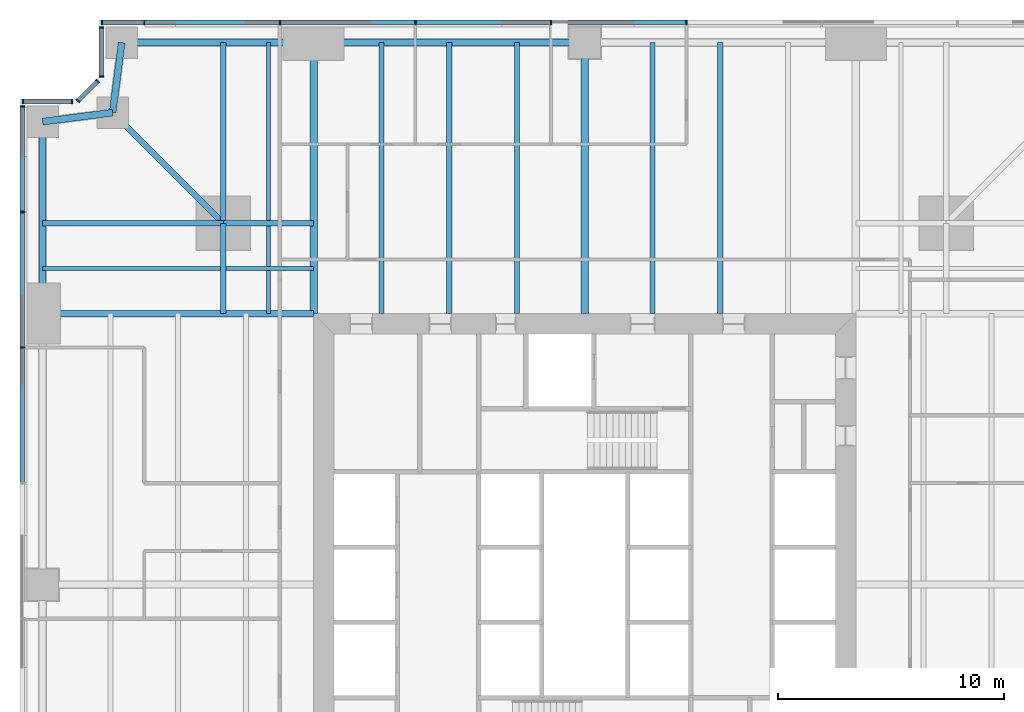
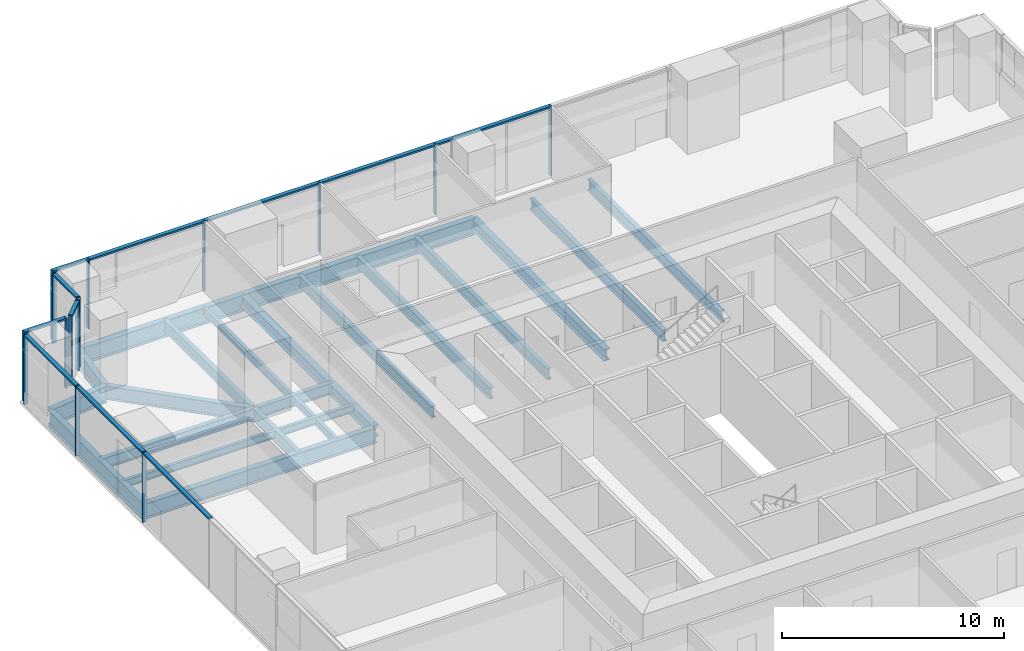
# One storey, part 6 of 14: 26 members, 23 beams, 5 elements without a shape of their own.
"""IFC4 building model written with IfcOpenShell, lengths in metres."""

from ifc_helpers import new_model, si_unit, direction, frame, origin, origin_2d, place, context, subcontext, project, spatial, rectangle, i_section, extrude, material, material_profile, profile_set, type_object, element, aggregate, save


model = new_model("IFC4")

# Units and contexts
model_context = context("Model", 3, precision=1e-05, world=origin(), true_north=direction((0.0, 1.0)))
body_context = subcontext(model_context, "Body", "Model", "MODEL_VIEW")
ifc_project = project(units=[si_unit("LENGTHUNIT", "METRE"), si_unit("AREAUNIT", "SQUARE_METRE"), si_unit("VOLUMEUNIT", "CUBIC_METRE"), si_unit("PLANEANGLEUNIT", "RADIAN"), si_unit("MASSUNIT", "GRAM", prefix="KILO")], contexts=[model_context])

# Site, building, storey
site_placement = place(None, origin())
site = spatial("IfcSite", under=ifc_project, at=site_placement, CompositionType="ELEMENT")
building_placement = place(site_placement, origin())
building = spatial("IfcBuilding", under=site, at=building_placement, Name="Fenwick Lantern Interchange", CompositionType="ELEMENT")
storey_placement = place(building_placement, frame((0.0, 0.0, 71.0)))
storey = spatial("IfcBuildingStorey", under=building, at=storey_placement, Name="L16", CompositionType="ELEMENT", Elevation=71.0)

# Beams
ifc_material_1 = material(Name="Steel ASTM A992 Grade 50", Category="steel")
ifc_material_profile_1 = material_profile(ifc_material_1, i_section(OverallWidth=0.3046875, OverallDepth=0.911865234375, WebThickness=0.015869140625, FlangeThickness=0.02392578125, at=origin_2d()), Name="W36X150")
ifc_profile_set_1 = profile_set([ifc_material_profile_1], Name="Steel ASTM A992 Grade 50")
beam_type_1 = type_object("IfcBeamType", Name="EDGE BEAM W36X150", PredefinedType="SPANDREL", material=ifc_profile_set_1)
beam_1_placement = place(storey_placement, frame((25.0, 49.0, -0.60595703125), z_axis=(-1.0, 0.0, 0.0), x_axis=(0.0, -1.0, 0.0)))
element("IfcBeam", 1, at=beam_1_placement, inside=storey, type_object=beam_type_1, Name="L16/FR/N/EB3", PredefinedType="SPANDREL", context=body_context, shape_type="SweptSolid", body=[
    extrude(i_section(OverallWidth=0.3046875, OverallDepth=0.911865234375, WebThickness=0.015869140625, FlangeThickness=0.02392578125, at=origin_2d()), origin(), (0.0, 0.0, 1.0), 12.0),
])
beam_2_placement = place(storey_placement, frame((13.0, 49.0, -0.60595703125), z_axis=(-1.0, 0.0, 0.0), x_axis=(0.0, -1.0, 0.0)))
element("IfcBeam", 2, at=beam_2_placement, inside=storey, type_object=beam_type_1, Name="L16/FR/N/EB4", PredefinedType="SPANDREL", context=body_context, shape_type="SweptSolid", body=[
    extrude(i_section(OverallWidth=0.3046875, OverallDepth=0.911865234375, WebThickness=0.015869140625, FlangeThickness=0.02392578125, at=origin_2d()), origin(), (0.0, 0.0, 1.0), 8.5),
])
for number, where, z_axis, x_axis, name in (
    (3, (4.5, 49.0, -0.60595703125), (-0.127936641807, -0.991782342897, 0.0), (0.991782342897, -0.127936641807, 0.0), "L16/FR/N/EBR1"),
    (4, (4.10009765625, 45.89990234375, -0.60595703125), (-0.991782342897, -0.127936641807, 0.0), (0.127936641807, -0.991782342897, 0.0), "L16/FR/N/EBR2"),
):
    element("IfcBeam", number, at=place(storey_placement, frame(where, z_axis=z_axis, x_axis=x_axis)), inside=storey, type_object=beam_type_1, Name=name, PredefinedType="SPANDREL", context=body_context, shape_type="SweptSolid", body=[
        extrude(i_section(OverallWidth=0.3046875, OverallDepth=0.911865234375, WebThickness=0.015869140625, FlangeThickness=0.02392578125, at=origin_2d()), origin(), (0.0, 0.0, 1.0), 3.125732421875),
    ])
beam_3_placement = place(storey_placement, frame((1.0, 45.5, -0.60595703125), z_axis=(0.0, -1.0, 0.0), x_axis=(1.0, 0.0, 0.0)))
element("IfcBeam", 5, at=beam_3_placement, inside=storey, type_object=beam_type_1, Name="L16/FR/W/EB1", PredefinedType="SPANDREL", context=body_context, shape_type="SweptSolid", body=[
    extrude(i_section(OverallWidth=0.3046875, OverallDepth=0.911865234375, WebThickness=0.015869140625, FlangeThickness=0.02392578125, at=origin_2d()), origin(), (0.0, 0.0, 1.0), 8.5),
])
ifc_material_profile_2 = material_profile(ifc_material_1, i_section(OverallWidth=0.22900390625, OverallDepth=0.612060546875, WebThickness=0.011962890625, FlangeThickness=0.01953125, at=origin_2d()), Name="W24X84")
ifc_profile_set_2 = profile_set([ifc_material_profile_2], Name="Steel ASTM A992 Grade 50")
beam_type_2 = type_object("IfcBeamType", Name="FLOOR BEAM W24X84", PredefinedType="BEAM", material=ifc_profile_set_2)
for number, where, z_axis, x_axis, name in (
    (6, (31.0, 49.0, -0.4560546875), (0.0, -1.0, 0.0), (1.0, 0.0, 0.0), "L16/FR/N/R03"),
    (7, (28.0, 49.0, -0.4560546875), (0.0, -1.0, 0.0), (1.0, 0.0, 0.0), "L16/FR/N/R04"),
    (8, (22.0, 49.0, -0.4560546875), (0.0, -1.0, 0.0), (1.0, 0.0, 0.0), "L16/FR/N/R06"),
    (9, (19.0, 49.0, -0.4560546875), (0.0, -1.0, 0.0), (1.0, 0.0, 0.0), "L16/FR/N/R07"),
    (10, (16.0, 49.0, -0.4560546875), (0.0, -1.0, 0.0), (1.0, 0.0, 0.0), "L16/FR/N/R08"),
):
    element("IfcBeam", number, at=place(storey_placement, frame(where, z_axis=z_axis, x_axis=x_axis)), inside=storey, type_object=beam_type_2, Name=name, PredefinedType="BEAM", context=body_context, shape_type="SweptSolid", body=[
        extrude(i_section(OverallWidth=0.22900390625, OverallDepth=0.612060546875, WebThickness=0.011962890625, FlangeThickness=0.01953125, at=origin_2d()), origin(), (0.0, 0.0, 1.0), 12.0),
    ])
ifc_material_profile_3 = material_profile(ifc_material_1, i_section(OverallWidth=0.177734375, OverallDepth=0.406494140625, WebThickness=0.0078125, FlangeThickness=0.012939453125, at=origin_2d()), Name="W16X40")
ifc_profile_set_3 = profile_set([ifc_material_profile_3], Name="Steel ASTM A992 Grade 50")
beam_type_3 = type_object("IfcBeamType", Name="INFILL BEAM W16X40", PredefinedType="JOIST", material=ifc_profile_set_3)
beam_4_placement = place(storey_placement, frame((1.0, 39.0, -0.353271484375), z_axis=(1.0, 0.0, 0.0), x_axis=(0.0, 1.0, 0.0)))
element("IfcBeam", 11, at=beam_4_placement, inside=storey, type_object=beam_type_3, Name="L16/FR/W/J1", PredefinedType="JOIST", context=body_context, shape_type="SweptSolid", body=[
    extrude(i_section(OverallWidth=0.177734375, OverallDepth=0.406494140625, WebThickness=0.0078125, FlangeThickness=0.012939453125, at=origin_2d()), origin(), (0.0, 0.0, 1.0), 7.885498046875),
])
beam_5_placement = place(storey_placement, frame((9.114501953125, 39.0, -0.353271484375), z_axis=(1.0, 0.0, 0.0), x_axis=(0.0, 1.0, 0.0)))
element("IfcBeam", 12, at=beam_5_placement, inside=storey, type_object=beam_type_3, Name="L16/FR/W/J2", PredefinedType="JOIST", context=body_context, shape_type="SweptSolid", body=[
    extrude(i_section(OverallWidth=0.177734375, OverallDepth=0.406494140625, WebThickness=0.0078125, FlangeThickness=0.012939453125, at=origin_2d()), origin(), (0.0, 0.0, 1.0), 3.885498046875),
])
beam_6_placement = place(storey_placement, frame((11.0, 49.0, -0.353271484375), z_axis=(0.0, -1.0, 0.0), x_axis=(1.0, 0.0, 0.0)))
element("IfcBeam", 13, at=beam_6_placement, inside=storey, type_object=beam_type_3, Name="L16/FR/W/J3", PredefinedType="JOIST", context=body_context, shape_type="SweptSolid", body=[
    extrude(i_section(OverallWidth=0.177734375, OverallDepth=0.406494140625, WebThickness=0.0078125, FlangeThickness=0.012939453125, at=origin_2d()), origin(), (0.0, 0.0, 1.0), 7.885498046875),
])
beam_7_placement = place(storey_placement, frame((11.0, 40.885498046875, -0.353271484375), z_axis=(0.0, -1.0, 0.0), x_axis=(1.0, 0.0, 0.0)))
element("IfcBeam", 14, at=beam_7_placement, inside=storey, type_object=beam_type_3, Name="L16/FR/W/J4", PredefinedType="JOIST", context=body_context, shape_type="SweptSolid", body=[
    extrude(i_section(OverallWidth=0.177734375, OverallDepth=0.406494140625, WebThickness=0.0078125, FlangeThickness=0.012939453125, at=origin_2d()), origin(), (0.0, 0.0, 1.0), 1.796630859375),
])
beam_8_placement = place(storey_placement, frame((11.0, 38.9111328125, -0.353271484375), z_axis=(0.0, -1.0, 0.0), x_axis=(1.0, 0.0, 0.0)))
element("IfcBeam", 15, at=beam_8_placement, inside=storey, type_object=beam_type_3, Name="L16/FR/W/J5", PredefinedType="JOIST", context=body_context, shape_type="SweptSolid", body=[
    extrude(i_section(OverallWidth=0.177734375, OverallDepth=0.406494140625, WebThickness=0.0078125, FlangeThickness=0.012939453125, at=origin_2d()), origin(), (0.0, 0.0, 1.0), 1.9111328125),
])
ifc_material_profile_4 = material_profile(ifc_material_1, i_section(OverallWidth=0.22900390625, OverallDepth=0.612060546875, WebThickness=0.011962890625, FlangeThickness=0.01953125, at=origin_2d()), Name="W24X84")
ifc_profile_set_4 = profile_set([ifc_material_profile_4], Name="Steel ASTM A992 Grade 50")
beam_type_4 = type_object("IfcBeamType", Name="MEGA COLUMN BEAM W24X84", PredefinedType="BEAM", material=ifc_profile_set_4)
for number, where, z_axis, x_axis, name in (
    (16, (9.0, 41.0, -0.4560546875), (-1.0, 0.0, 0.0), (0.0, -1.0, 0.0), "L16/FR/W/MB1"),
    (17, (9.0, 41.0, -0.4560546875), (0.0, 1.0, 0.0), (-1.0, 0.0, 0.0), "L16/FR/W/MB2"),
):
    element("IfcBeam", number, at=place(storey_placement, frame(where, z_axis=z_axis, x_axis=x_axis)), inside=storey, type_object=beam_type_4, Name=name, PredefinedType="BEAM", context=body_context, shape_type="SweptSolid", body=[
        extrude(i_section(OverallWidth=0.22900390625, OverallDepth=0.612060546875, WebThickness=0.011962890625, FlangeThickness=0.01953125, at=origin_2d()), origin(), (0.0, 0.0, 1.0), 8.0),
    ])
for number, where, z_axis, x_axis, name in (
    (18, (9.0, 41.0, -0.4560546875), (0.0, -1.0, 0.0), (1.0, 0.0, 0.0), "L16/FR/W/MB3"),
    (19, (9.0, 41.0, -0.4560546875), (1.0, 0.0, 0.0), (0.0, 1.0, 0.0), "L16/FR/W/MB4"),
):
    element("IfcBeam", number, at=place(storey_placement, frame(where, z_axis=z_axis, x_axis=x_axis)), inside=storey, type_object=beam_type_4, Name=name, PredefinedType="BEAM", context=body_context, shape_type="SweptSolid", body=[
        extrude(i_section(OverallWidth=0.22900390625, OverallDepth=0.612060546875, WebThickness=0.011962890625, FlangeThickness=0.01953125, at=origin_2d()), origin(), (0.0, 0.0, 1.0), 4.0),
    ])
ifc_material_profile_5 = material_profile(ifc_material_1, i_section(OverallWidth=0.32763671875, OverallDepth=0.622314453125, WebThickness=0.015380859375, FlangeThickness=0.0244140625, at=origin_2d()), Name="W24X131")
ifc_profile_set_5 = profile_set([ifc_material_profile_5], Name="Steel ASTM A992 Grade 50")
beam_type_5 = type_object("IfcBeamType", Name="MOMENT-CONNECTED GIRDER W24X131", PredefinedType="BEAM", material=ifc_profile_set_5)
for number, where, z_axis, x_axis, name in (
    (20, (25.0, 49.0, -0.461181640625), (0.0, -1.0, 0.0), (1.0, 0.0, 0.0), "L16/FR/N/R05"),
    (21, (13.0, 49.0, -0.461181640625), (0.0, -1.0, 0.0), (1.0, 0.0, 0.0), "L16/FR/N/R09"),
):
    element("IfcBeam", number, at=place(storey_placement, frame(where, z_axis=z_axis, x_axis=x_axis)), inside=storey, type_object=beam_type_5, Name=name, PredefinedType="BEAM", context=body_context, shape_type="SweptSolid", body=[
        extrude(i_section(OverallWidth=0.32763671875, OverallDepth=0.622314453125, WebThickness=0.015380859375, FlangeThickness=0.0244140625, at=origin_2d()), origin(), (0.0, 0.0, 1.0), 12.0),
    ])
ifc_material_profile_6 = material_profile(ifc_material_1, i_section(OverallWidth=0.2919921875, OverallDepth=0.845703125, WebThickness=0.015380859375, FlangeThickness=0.0244140625, at=origin_2d()), Name="W33X141")
ifc_profile_set_6 = profile_set([ifc_material_profile_6], Name="Steel ASTM A992 Grade 50")
beam_type_6 = type_object("IfcBeamType", Name="MOMENT-CONNECTED GIRDER W33X141", PredefinedType="BEAM", material=ifc_profile_set_6)
beam_9_placement = place(storey_placement, frame((1.0, 37.0, -0.572998046875), z_axis=(1.0, 0.0, 0.0), x_axis=(0.0, 1.0, 0.0)))
element("IfcBeam", 22, at=beam_9_placement, inside=storey, type_object=beam_type_6, Name="L16/FR/W/R01", PredefinedType="BEAM", context=body_context, shape_type="SweptSolid", body=[
    extrude(i_section(OverallWidth=0.2919921875, OverallDepth=0.845703125, WebThickness=0.015380859375, FlangeThickness=0.0244140625, at=origin_2d()), origin(), (0.0, 0.0, 1.0), 12.0),
])
ifc_material_profile_7 = material_profile(ifc_material_1, i_section(OverallWidth=0.2666015625, OverallDepth=0.7568359375, WebThickness=0.013916015625, FlangeThickness=0.019287109375, at=origin_2d()), Name="W30X108")
ifc_profile_set_7 = profile_set([ifc_material_profile_7], Name="Steel ASTM A992 Grade 50")
beam_type_7 = type_object("IfcBeamType", Name="NOTCH BEAM W30X108", PredefinedType="BEAM", material=ifc_profile_set_7)
beam_10_placement = place(storey_placement, frame((9.0, 41.0, -0.528564453125), z_axis=(-0.707106781187, 0.707106781187, 0.0), x_axis=(-0.707106781187, -0.707106781187, 0.0)))
element("IfcBeam", 23, at=beam_10_placement, inside=storey, type_object=beam_type_7, Name="L16/FR/W/TG", PredefinedType="BEAM", context=body_context, shape_type="SweptSolid", body=[
    extrude(i_section(OverallWidth=0.2666015625, OverallDepth=0.7568359375, WebThickness=0.013916015625, FlangeThickness=0.019287109375, at=origin_2d()), origin(), (0.0, 0.0, 1.0), 6.929443359375),
])

# Curtain wall, members
ifc_material_2 = material(Name="Aluminium curtain wall frame", Category="aluminium")
curtain_wall_type = type_object("IfcCurtainWallType", Name="OFFICE CURTAIN WALL", PredefinedType="USERDEFINED", material=ifc_material_2)
curtain_wall_1_placement = place(storey_placement, origin())
curtain_wall_1 = element("IfcCurtainWall", 24, at=curtain_wall_1_placement, inside=storey, type_object=curtain_wall_type, Name="Office curtain wall 09", ObjectType="OFFICE CURTAIN WALL", PredefinedType="USERDEFINED")
ifc_material_3 = material(Name="Aluminium extrusion", Category="aluminium")
ifc_material_profile_8 = material_profile(ifc_material_3, rectangle(XDim=0.199951171875, YDim=0.06494140625, at=origin_2d()), Name="OFFICE CURTAIN WALL MULLION 65 X 200")
ifc_profile_set_8 = profile_set([ifc_material_profile_8], Name="Aluminium extrusion")
member_type_1 = type_object("IfcMemberType", Name="OFFICE CURTAIN WALL MULLION 65 X 200", PredefinedType="MULLION", material=ifc_profile_set_8)
member_1_placement = place(storey_placement, frame((29.5, 49.89990234375, 0.0), z_axis=(0.0, 0.0, 1.0), x_axis=(0.0, -1.0, 0.0)))
member_1 = element("IfcMember", 25, at=member_1_placement, type_object=member_type_1, Name="L16/CW/09/M03", PredefinedType="MULLION", context=body_context, shape_type="SweptSolid", body=[
    extrude(rectangle(XDim=0.199951171875, YDim=0.06494140625, at=origin_2d()), origin(), (0.0, 0.0, 1.0), 3.85009765625),
])
member_2_placement = place(storey_placement, frame((23.5, 49.89990234375, 0.0), z_axis=(0.0, 0.0, 1.0), x_axis=(0.0, -1.0, 0.0)))
member_2 = element("IfcMember", 26, at=member_2_placement, type_object=member_type_1, Name="L16/CW/09/M04", PredefinedType="MULLION", context=body_context, shape_type="SweptSolid", body=[
    extrude(rectangle(XDim=0.199951171875, YDim=0.06494140625, at=origin_2d()), origin(), (0.0, 0.0, 1.0), 3.85009765625),
])
member_3_placement = place(storey_placement, frame((17.5, 49.89990234375, 0.0), z_axis=(0.0, 0.0, 1.0), x_axis=(0.0, -1.0, 0.0)))
member_3 = element("IfcMember", 27, at=member_3_placement, type_object=member_type_1, Name="L16/CW/09/M05", PredefinedType="MULLION", context=body_context, shape_type="SweptSolid", body=[
    extrude(rectangle(XDim=0.199951171875, YDim=0.06494140625, at=origin_2d()), origin(), (0.0, 0.0, 1.0), 3.85009765625),
])
member_4_placement = place(storey_placement, frame((11.5, 49.89990234375, 0.0), z_axis=(0.0, 0.0, 1.0), x_axis=(0.0, -1.0, 0.0)))
member_4 = element("IfcMember", 28, at=member_4_placement, type_object=member_type_1, Name="L16/CW/09/M06", PredefinedType="MULLION", context=body_context, shape_type="SweptSolid", body=[
    extrude(rectangle(XDim=0.199951171875, YDim=0.06494140625, at=origin_2d()), origin(), (0.0, 0.0, 1.0), 3.85009765625),
])
member_5_placement = place(storey_placement, frame((5.5, 49.89990234375, 0.0), z_axis=(0.0, 0.0, 1.0), x_axis=(0.0, -1.0, 0.0)))
member_5 = element("IfcMember", 29, at=member_5_placement, type_object=member_type_1, Name="L16/CW/09/M07", PredefinedType="MULLION", context=body_context, shape_type="SweptSolid", body=[
    extrude(rectangle(XDim=0.199951171875, YDim=0.06494140625, at=origin_2d()), origin(), (0.0, 0.0, 1.0), 3.85009765625),
])
member_6_placement = place(storey_placement, frame((3.632568359375, 49.89990234375, 0.0), z_axis=(0.0, 0.0, 1.0), x_axis=(0.0, -1.0, 0.0)))
member_6 = element("IfcMember", 30, at=member_6_placement, type_object=member_type_1, Name="L16/CW/09/M08", PredefinedType="MULLION", context=body_context, shape_type="SweptSolid", body=[
    extrude(rectangle(XDim=0.199951171875, YDim=0.06494140625, at=origin_2d()), origin(), (0.0, 0.0, 1.0), 3.85009765625),
])

curtain_wall_2_placement = place(storey_placement, origin())
curtain_wall_2 = element("IfcCurtainWall", 31, at=curtain_wall_2_placement, inside=storey, type_object=curtain_wall_type, Name="Office curtain wall 10", ObjectType="OFFICE CURTAIN WALL", PredefinedType="USERDEFINED")
member_7_placement = place(storey_placement, frame((3.60009765625, 49.66748046875, 0.0), z_axis=(0.0, 0.0, 1.0), x_axis=(1.0, 0.0, 0.0)))
member_7 = element("IfcMember", 32, at=member_7_placement, type_object=member_type_1, Name="L16/CW/10/M00", PredefinedType="MULLION", context=body_context, shape_type="SweptSolid", body=[
    extrude(rectangle(XDim=0.199951171875, YDim=0.06494140625, at=origin_2d()), origin(), (0.0, 0.0, 1.0), 3.85009765625),
])
member_8_placement = place(storey_placement, frame((3.60009765625, 47.490966796875, 0.0), z_axis=(0.0, 0.0, 1.0), x_axis=(1.0, 0.0, 0.0)))
member_8 = element("IfcMember", 33, at=member_8_placement, type_object=member_type_1, Name="L16/CW/10/M01", PredefinedType="MULLION", context=body_context, shape_type="SweptSolid", body=[
    extrude(rectangle(XDim=0.199951171875, YDim=0.06494140625, at=origin_2d()), origin(), (0.0, 0.0, 1.0), 3.85009765625),
])

curtain_wall_3_placement = place(storey_placement, origin())
curtain_wall_3 = element("IfcCurtainWall", 34, at=curtain_wall_3_placement, inside=storey, type_object=curtain_wall_type, Name="Office curtain wall 11", ObjectType="OFFICE CURTAIN WALL", PredefinedType="USERDEFINED")
member_9_placement = place(storey_placement, frame((3.435546875, 47.294189453125, 0.0), z_axis=(0.0, 0.0, 1.0), x_axis=(0.707106781187, -0.707106781187, 0.0)))
member_9 = element("IfcMember", 35, at=member_9_placement, type_object=member_type_1, Name="L16/CW/11/M00", PredefinedType="MULLION", context=body_context, shape_type="SweptSolid", body=[
    extrude(rectangle(XDim=0.199951171875, YDim=0.06494140625, at=origin_2d()), origin(), (0.0, 0.0, 1.0), 3.85009765625),
])
member_10_placement = place(storey_placement, frame((2.564453125, 46.423095703125, 0.0), z_axis=(0.0, 0.0, 1.0), x_axis=(0.707106781187, -0.707106781187, 0.0)))
member_10 = element("IfcMember", 36, at=member_10_placement, type_object=member_type_1, Name="L16/CW/11/M01", PredefinedType="MULLION", context=body_context, shape_type="SweptSolid", body=[
    extrude(rectangle(XDim=0.199951171875, YDim=0.06494140625, at=origin_2d()), origin(), (0.0, 0.0, 1.0), 3.85009765625),
])

curtain_wall_4_placement = place(storey_placement, origin())
curtain_wall_4 = element("IfcCurtainWall", 37, at=curtain_wall_4_placement, inside=storey, type_object=curtain_wall_type, Name="Office curtain wall 12", ObjectType="OFFICE CURTAIN WALL", PredefinedType="USERDEFINED")
member_11_placement = place(storey_placement, frame((2.308837890625, 46.39990234375, 0.0), z_axis=(0.0, 0.0, 1.0), x_axis=(0.0, -1.0, 0.0)))
member_11 = element("IfcMember", 38, at=member_11_placement, type_object=member_type_1, Name="L16/CW/12/M00", PredefinedType="MULLION", context=body_context, shape_type="SweptSolid", body=[
    extrude(rectangle(XDim=0.199951171875, YDim=0.06494140625, at=origin_2d()), origin(), (0.0, 0.0, 1.0), 3.85009765625),
])
member_12_placement = place(storey_placement, frame((0.132568359375, 46.39990234375, 0.0), z_axis=(0.0, 0.0, 1.0), x_axis=(0.0, -1.0, 0.0)))
member_12 = element("IfcMember", 39, at=member_12_placement, type_object=member_type_1, Name="L16/CW/12/M01", PredefinedType="MULLION", context=body_context, shape_type="SweptSolid", body=[
    extrude(rectangle(XDim=0.199951171875, YDim=0.06494140625, at=origin_2d()), origin(), (0.0, 0.0, 1.0), 3.85009765625),
])

curtain_wall_5_placement = place(storey_placement, origin())
curtain_wall_5 = element("IfcCurtainWall", 40, at=curtain_wall_5_placement, inside=storey, type_object=curtain_wall_type, Name="Office curtain wall 13", ObjectType="OFFICE CURTAIN WALL", PredefinedType="USERDEFINED")
member_13_placement = place(storey_placement, frame((0.10009765625, 46.16748046875, 0.0), z_axis=(0.0, 0.0, 1.0), x_axis=(1.0, 0.0, 0.0)))
member_13 = element("IfcMember", 41, at=member_13_placement, type_object=member_type_1, Name="L16/CW/13/M00", PredefinedType="MULLION", context=body_context, shape_type="SweptSolid", body=[
    extrude(rectangle(XDim=0.199951171875, YDim=0.06494140625, at=origin_2d()), origin(), (0.0, 0.0, 1.0), 3.85009765625),
])
member_14_placement = place(storey_placement, frame((0.10009765625, 41.5, 0.0), z_axis=(0.0, 0.0, 1.0), x_axis=(1.0, 0.0, 0.0)))
member_14 = element("IfcMember", 42, at=member_14_placement, type_object=member_type_1, Name="L16/CW/13/M01", PredefinedType="MULLION", context=body_context, shape_type="SweptSolid", body=[
    extrude(rectangle(XDim=0.199951171875, YDim=0.06494140625, at=origin_2d()), origin(), (0.0, 0.0, 1.0), 3.85009765625),
])
member_15_placement = place(storey_placement, frame((0.10009765625, 35.5, 0.0), z_axis=(0.0, 0.0, 1.0), x_axis=(1.0, 0.0, 0.0)))
member_15 = element("IfcMember", 43, at=member_15_placement, type_object=member_type_1, Name="L16/CW/13/M02", PredefinedType="MULLION", context=body_context, shape_type="SweptSolid", body=[
    extrude(rectangle(XDim=0.199951171875, YDim=0.06494140625, at=origin_2d()), origin(), (0.0, 0.0, 1.0), 3.85009765625),
])

# Member
ifc_material_profile_9 = material_profile(ifc_material_3, rectangle(XDim=0.199951171875, YDim=0.10009765625, at=origin_2d()), Name="OFFICE CURTAIN WALL TRANSOM 100 X 200")
ifc_profile_set_9 = profile_set([ifc_material_profile_9], Name="Aluminium extrusion")
member_type_2 = type_object("IfcMemberType", Name="OFFICE CURTAIN WALL TRANSOM 100 X 200", PredefinedType="MULLION", material=ifc_profile_set_9)
member_16_placement = place(storey_placement, frame((29.467529296875, 49.89990234375, 3.800048828125), z_axis=(-1.0, 0.0, 0.0), x_axis=(0.0, -1.0, 0.0)))
member_16 = element("IfcMember", 44, at=member_16_placement, type_object=member_type_2, Name="L16/CW/09/T03", PredefinedType="MULLION", context=body_context, shape_type="SweptSolid", body=[
    extrude(rectangle(XDim=0.199951171875, YDim=0.10009765625, at=origin_2d()), origin(), (0.0, 0.0, 1.0), 5.93505859375),
])

member_17_placement = place(storey_placement, frame((23.467529296875, 49.89990234375, 3.800048828125), z_axis=(-1.0, 0.0, 0.0), x_axis=(0.0, -1.0, 0.0)))
member_17 = element("IfcMember", 45, at=member_17_placement, type_object=member_type_2, Name="L16/CW/09/T04", PredefinedType="MULLION", context=body_context, shape_type="SweptSolid", body=[
    extrude(rectangle(XDim=0.199951171875, YDim=0.10009765625, at=origin_2d()), origin(), (0.0, 0.0, 1.0), 5.93505859375),
])

member_18_placement = place(storey_placement, frame((17.467529296875, 49.89990234375, 3.800048828125), z_axis=(-1.0, 0.0, 0.0), x_axis=(0.0, -1.0, 0.0)))
member_18 = element("IfcMember", 46, at=member_18_placement, type_object=member_type_2, Name="L16/CW/09/T05", PredefinedType="MULLION", context=body_context, shape_type="SweptSolid", body=[
    extrude(rectangle(XDim=0.199951171875, YDim=0.10009765625, at=origin_2d()), origin(), (0.0, 0.0, 1.0), 5.93505859375),
])

member_19_placement = place(storey_placement, frame((11.467529296875, 49.89990234375, 3.800048828125), z_axis=(-1.0, 0.0, 0.0), x_axis=(0.0, -1.0, 0.0)))
member_19 = element("IfcMember", 47, at=member_19_placement, type_object=member_type_2, Name="L16/CW/09/T06", PredefinedType="MULLION", context=body_context, shape_type="SweptSolid", body=[
    extrude(rectangle(XDim=0.199951171875, YDim=0.10009765625, at=origin_2d()), origin(), (0.0, 0.0, 1.0), 5.93505859375),
])

member_20_placement = place(storey_placement, frame((5.467529296875, 49.89990234375, 3.800048828125), z_axis=(-1.0, 0.0, 0.0), x_axis=(0.0, -1.0, 0.0)))
member_20 = element("IfcMember", 48, at=member_20_placement, type_object=member_type_2, Name="L16/CW/09/T07", PredefinedType="MULLION", context=body_context, shape_type="SweptSolid", body=[
    extrude(rectangle(XDim=0.199951171875, YDim=0.10009765625, at=origin_2d()), origin(), (0.0, 0.0, 1.0), 1.802490234375),
])

aggregate(curtain_wall_1, [member_1, member_2, member_3, member_4, member_5, member_6, member_16, member_17, member_18, member_19, member_20])

member_21_placement = place(storey_placement, frame((3.60009765625, 49.635009765625, 3.800048828125), z_axis=(0.0, -1.0, 0.0), x_axis=(1.0, 0.0, 0.0)))
member_21 = element("IfcMember", 49, at=member_21_placement, type_object=member_type_2, Name="L16/CW/10/T00", PredefinedType="MULLION", context=body_context, shape_type="SweptSolid", body=[
    extrude(rectangle(XDim=0.199951171875, YDim=0.10009765625, at=origin_2d()), origin(), (0.0, 0.0, 1.0), 2.111328125),
])

aggregate(curtain_wall_2, [member_7, member_8, member_21])

member_22_placement = place(storey_placement, frame((3.41259765625, 47.271240234375, 3.800048828125), z_axis=(-0.707106781187, -0.707106781187, 0.0), x_axis=(0.707106781187, -0.707106781187, 0.0)))
member_22 = element("IfcMember", 50, at=member_22_placement, type_object=member_type_2, Name="L16/CW/11/T00", PredefinedType="MULLION", context=body_context, shape_type="SweptSolid", body=[
    extrude(rectangle(XDim=0.199951171875, YDim=0.10009765625, at=origin_2d()), origin(), (0.0, 0.0, 1.0), 1.1669921875),
])

aggregate(curtain_wall_3, [member_9, member_10, member_22])

member_23_placement = place(storey_placement, frame((2.2763671875, 46.39990234375, 3.800048828125), z_axis=(-1.0, 0.0, 0.0), x_axis=(0.0, -1.0, 0.0)))
member_23 = element("IfcMember", 51, at=member_23_placement, type_object=member_type_2, Name="L16/CW/12/T00", PredefinedType="MULLION", context=body_context, shape_type="SweptSolid", body=[
    extrude(rectangle(XDim=0.199951171875, YDim=0.10009765625, at=origin_2d()), origin(), (0.0, 0.0, 1.0), 2.111328125),
])

aggregate(curtain_wall_4, [member_11, member_12, member_23])

member_24_placement = place(storey_placement, frame((0.10009765625, 46.135009765625, 3.800048828125), z_axis=(0.0, -1.0, 0.0), x_axis=(1.0, 0.0, 0.0)))
member_24 = element("IfcMember", 52, at=member_24_placement, type_object=member_type_2, Name="L16/CW/13/T00", PredefinedType="MULLION", context=body_context, shape_type="SweptSolid", body=[
    extrude(rectangle(XDim=0.199951171875, YDim=0.10009765625, at=origin_2d()), origin(), (0.0, 0.0, 1.0), 4.6025390625),
])

member_25_placement = place(storey_placement, frame((0.10009765625, 41.467529296875, 3.800048828125), z_axis=(0.0, -1.0, 0.0), x_axis=(1.0, 0.0, 0.0)))
member_25 = element("IfcMember", 53, at=member_25_placement, type_object=member_type_2, Name="L16/CW/13/T01", PredefinedType="MULLION", context=body_context, shape_type="SweptSolid", body=[
    extrude(rectangle(XDim=0.199951171875, YDim=0.10009765625, at=origin_2d()), origin(), (0.0, 0.0, 1.0), 5.93505859375),
])

member_26_placement = place(storey_placement, frame((0.10009765625, 35.467529296875, 3.800048828125), z_axis=(0.0, -1.0, 0.0), x_axis=(1.0, 0.0, 0.0)))
member_26 = element("IfcMember", 54, at=member_26_placement, type_object=member_type_2, Name="L16/CW/13/T02", PredefinedType="MULLION", context=body_context, shape_type="SweptSolid", body=[
    extrude(rectangle(XDim=0.199951171875, YDim=0.10009765625, at=origin_2d()), origin(), (0.0, 0.0, 1.0), 5.93505859375),
])

aggregate(curtain_wall_5, [member_13, member_14, member_15, member_24, member_25, member_26])

save(model, "model.ifc")
